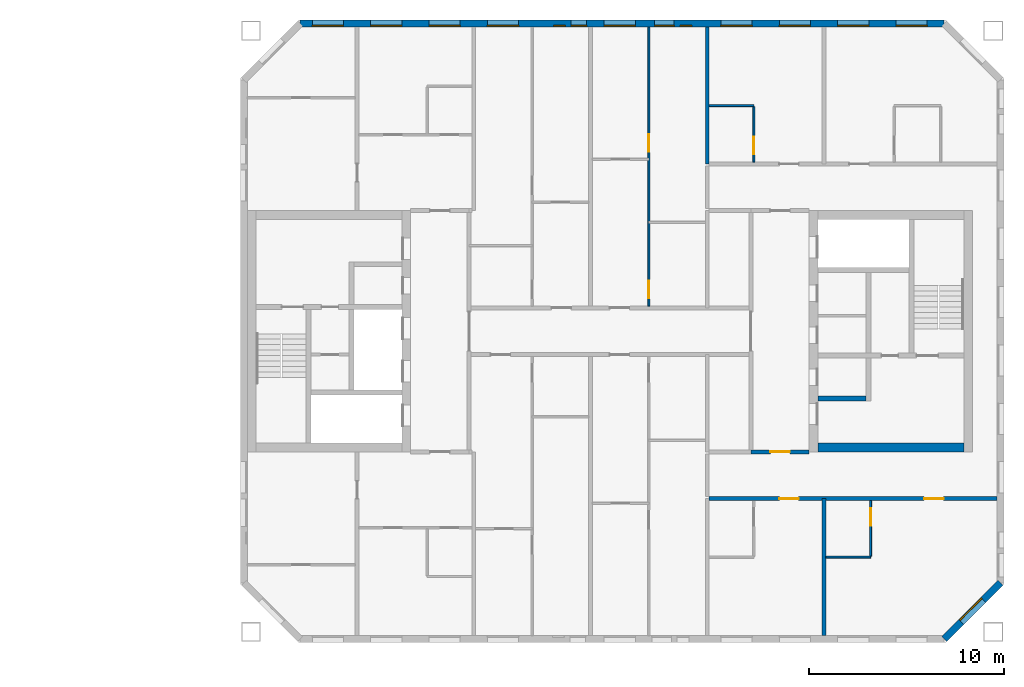
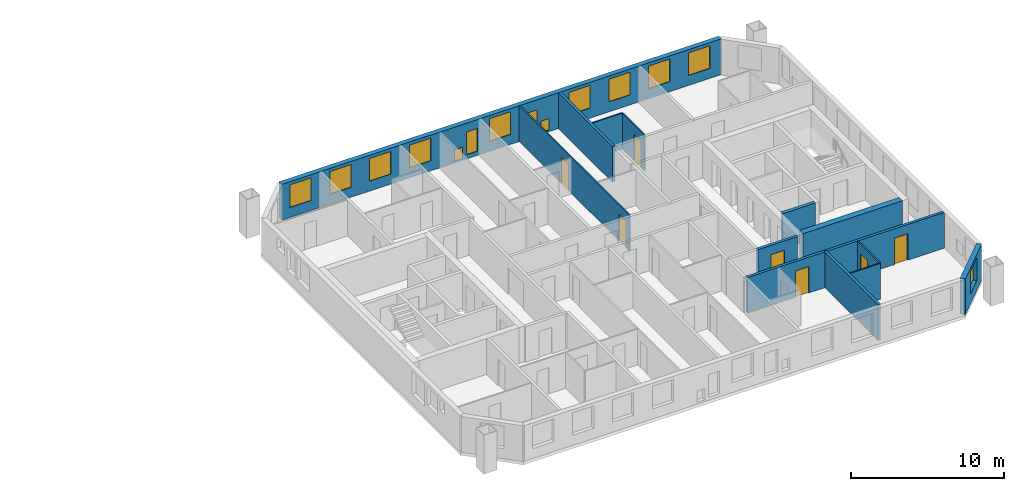
# One storey, part 11 of 15: 14 windows, 13 walls, 7 doors, 21 openings.
"""IFC4 building model written with IfcOpenShell, lengths in metres."""

from ifc_helpers import new_model, si_unit, direction, frame, frame_2d, origin, place, context, subcontext, project, spatial, rectangle, extrude, material, layer, layer_set, type_object, element, fill, save


model = new_model("IFC4")

# Units and contexts
model_context = context("Model", 3, precision=1e-05, world=origin(), true_north=direction((0.0, 1.0)))
body_context = subcontext(model_context, "Body", "Model", "MODEL_VIEW")
ifc_project = project(units=[si_unit("LENGTHUNIT", "METRE"), si_unit("AREAUNIT", "SQUARE_METRE"), si_unit("VOLUMEUNIT", "CUBIC_METRE"), si_unit("PLANEANGLEUNIT", "RADIAN"), si_unit("MASSUNIT", "GRAM", prefix="KILO")], contexts=[model_context])

# Site, building, storey
site_placement = place(None, origin())
site = spatial("IfcSite", under=ifc_project, at=site_placement, CompositionType="ELEMENT")
building_placement = place(site_placement, origin())
building = spatial("IfcBuilding", under=site, at=building_placement, Name="Tuart Gate Housing", CompositionType="ELEMENT")
storey_placement = place(building_placement, frame((0.0, 0.0, 188.199951171875)))
storey = spatial("IfcBuildingStorey", under=building, at=storey_placement, Name="L53", CompositionType="ELEMENT", Elevation=188.199951171875)

# Wall, opening, window
ifc_material_1 = material(Name="Brick", Category="masonry")
ifc_layer_1 = layer(ifc_material_1, 0.360107421875)
ifc_layer_set_1 = layer_set([ifc_layer_1], Name="Brick pier and spandrel wall 360")
wall_type_1 = type_object("IfcWallType", Name="Brick pier and spandrel wall 360", PredefinedType="STANDARD", material=ifc_layer_set_1)
wall_1_placement = place(storey_placement, frame((167.17529296875, 54.179931640625, 0.0), z_axis=(0.0, 0.0, 1.0), x_axis=(0.707106781187, 0.707106781187, 0.0)))
wall_1 = element("IfcWall", 1, at=wall_1_placement, inside=storey, type_object=wall_type_1, Name="External wall B-SE L53", PredefinedType="STANDARD", context=body_context, shape_type="SweptSolid", body=[
    extrude(rectangle(XDim=4.09375, YDim=0.360107421875, at=frame_2d((2.046875, 0.0))), origin(), (0.0, 0.0, 1.0), 2.85009765625),
])
opening_1_placement = place(wall_1_placement, frame((1.2470703125, 0.0, 0.800048828125)))
opening_1 = element("IfcOpeningElement", 2, at=opening_1_placement, cuts=wall_1, Name="Opening W1", PredefinedType="OPENING", context=body_context, shape_type="SweptSolid", body=[
    extrude(rectangle(XDim=1.60009765625, YDim=1.800048828125, at=frame_2d((0.800048828125, 0.89990234375))), frame((0.0, 0.18994140625, 0.0), z_axis=(0.0, -1.0, 0.0), x_axis=(1.0, 0.0, 0.0)), (0.0, 0.0, 1.0), 0.380126953125),
])
ifc_material_2 = material(Name="Aluminium frame with clear glass", Category="aluminium")
window_type_1 = type_object("IfcWindowType", Name="Punched window 1600 x 1800", PartitioningType="SINGLE_PANEL", PredefinedType="WINDOW", material=ifc_material_2)
window_1_placement = place(opening_1_placement, origin())
window_1 = element("IfcWindow", 3, at=window_1_placement, inside=storey, type_object=window_type_1, Name="Window W1", OverallHeight=1.800048828125, OverallWidth=1.60009765625, PartitioningType="SINGLE_PANEL", PredefinedType="WINDOW", context=body_context, shape_type="SweptSolid", body=[
    extrude(rectangle(XDim=1.60009765625, YDim=1.800048828125, at=frame_2d((0.800048828125, 0.89990234375))), frame((0.0, 0.150146484375, 0.0), z_axis=(0.0, -1.0, 0.0), x_axis=(1.0, 0.0, 0.0)), (0.0, 0.0, 1.0), 0.06005859375),
])
fill(opening_1, window_1)

# Wall, openings, windows
wall_2_placement = place(storey_placement, frame((167.17529296875, 85.820068359375, 0.0), z_axis=(0.0, 0.0, 1.0), x_axis=(-1.0, 0.0, 0.0)))
wall_2 = element("IfcWall", 4, at=wall_2_placement, inside=storey, type_object=wall_type_1, Name="External wall B-N L53", PredefinedType="STANDARD", context=body_context, shape_type="SweptSolid", body=[
    extrude(rectangle(XDim=33.100830078125, YDim=0.360107421875, at=frame_2d((16.55029296875, 0.0))), origin(), (0.0, 0.0, 1.0), 2.85009765625),
])
opening_2_placement = place(wall_2_placement, frame((0.87548828125, 0.0, 0.800048828125)))
opening_2 = element("IfcOpeningElement", 5, at=opening_2_placement, cuts=wall_2, Name="Opening W1", PredefinedType="OPENING", context=body_context, shape_type="SweptSolid", body=[
    extrude(rectangle(XDim=1.60009765625, YDim=1.800048828125, at=frame_2d((0.800048828125, 0.89990234375))), frame((0.0, 0.18994140625, 0.0), z_axis=(0.0, -1.0, 0.0), x_axis=(1.0, 0.0, 0.0)), (0.0, 0.0, 1.0), 0.380126953125),
])
opening_3_placement = place(wall_2_placement, frame((3.87548828125, 0.0, 0.800048828125)))
opening_3 = element("IfcOpeningElement", 6, at=opening_3_placement, cuts=wall_2, Name="Opening W1", PredefinedType="OPENING", context=body_context, shape_type="SweptSolid", body=[
    extrude(rectangle(XDim=1.60009765625, YDim=1.800048828125, at=frame_2d((0.800048828125, 0.89990234375))), frame((0.0, 0.18994140625, 0.0), z_axis=(0.0, -1.0, 0.0), x_axis=(1.0, 0.0, 0.0)), (0.0, 0.0, 1.0), 0.380126953125),
])
opening_4_placement = place(wall_2_placement, frame((6.87548828125, 0.0, 0.800048828125)))
opening_4 = element("IfcOpeningElement", 7, at=opening_4_placement, cuts=wall_2, Name="Opening W1", PredefinedType="OPENING", context=body_context, shape_type="SweptSolid", body=[
    extrude(rectangle(XDim=1.60009765625, YDim=1.800048828125, at=frame_2d((0.800048828125, 0.89990234375))), frame((0.0, 0.18994140625, 0.0), z_axis=(0.0, -1.0, 0.0), x_axis=(1.0, 0.0, 0.0)), (0.0, 0.0, 1.0), 0.380126953125),
])
opening_5_placement = place(wall_2_placement, frame((9.87548828125, 0.0, 0.800048828125)))
opening_5 = element("IfcOpeningElement", 8, at=opening_5_placement, cuts=wall_2, Name="Opening W1", PredefinedType="OPENING", context=body_context, shape_type="SweptSolid", body=[
    extrude(rectangle(XDim=1.60009765625, YDim=1.800048828125, at=frame_2d((0.800048828125, 0.89990234375))), frame((0.0, 0.18994140625, 0.0), z_axis=(0.0, -1.0, 0.0), x_axis=(1.0, 0.0, 0.0)), (0.0, 0.0, 1.0), 0.380126953125),
])
opening_6_placement = place(wall_2_placement, frame((12.975341796875, 0.0, 0.14990234375)))
opening_6 = element("IfcOpeningElement", 9, at=opening_6_placement, cuts=wall_2, Name="Opening W1W", PredefinedType="OPENING", context=body_context, shape_type="SweptSolid", body=[
    extrude(rectangle(XDim=0.60009765625, YDim=0.89990234375, at=frame_2d((0.300048828125, 0.449951171875))), frame((0.0, 0.18994140625, 0.0), z_axis=(0.0, -1.0, 0.0), x_axis=(1.0, 0.0, 0.0)), (0.0, 0.0, 1.0), 0.380126953125),
])
opening_7_placement = place(wall_2_placement, frame((15.87548828125, 0.0, 0.800048828125)))
opening_7 = element("IfcOpeningElement", 10, at=opening_7_placement, cuts=wall_2, Name="Opening W1", PredefinedType="OPENING", context=body_context, shape_type="SweptSolid", body=[
    extrude(rectangle(XDim=1.60009765625, YDim=1.800048828125, at=frame_2d((0.800048828125, 0.89990234375))), frame((0.0, 0.18994140625, 0.0), z_axis=(0.0, -1.0, 0.0), x_axis=(1.0, 0.0, 0.0)), (0.0, 0.0, 1.0), 0.380126953125),
])
opening_8_placement = place(wall_2_placement, frame((18.37548828125, 0.0, 0.35009765625)))
opening_8 = element("IfcOpeningElement", 11, at=opening_8_placement, cuts=wall_2, Name="Opening W1D", PredefinedType="OPENING", context=body_context, shape_type="SweptSolid", body=[
    extrude(rectangle(XDim=0.800048828125, YDim=1.800048828125, at=frame_2d((0.39990234375, 0.89990234375))), frame((0.0, 0.18994140625, 0.0), z_axis=(0.0, -1.0, 0.0), x_axis=(1.0, 0.0, 0.0)), (0.0, 0.0, 1.0), 0.380126953125),
])
opening_9_placement = place(wall_2_placement, frame((21.87548828125, 0.0, 0.800048828125)))
opening_9 = element("IfcOpeningElement", 12, at=opening_9_placement, cuts=wall_2, Name="Opening W1", PredefinedType="OPENING", context=body_context, shape_type="SweptSolid", body=[
    extrude(rectangle(XDim=1.60009765625, YDim=1.800048828125, at=frame_2d((0.800048828125, 0.89990234375))), frame((0.0, 0.18994140625, 0.0), z_axis=(0.0, -1.0, 0.0), x_axis=(1.0, 0.0, 0.0)), (0.0, 0.0, 1.0), 0.380126953125),
])
opening_10_placement = place(wall_2_placement, frame((24.87548828125, 0.0, 0.800048828125)))
opening_10 = element("IfcOpeningElement", 13, at=opening_10_placement, cuts=wall_2, Name="Opening W1", PredefinedType="OPENING", context=body_context, shape_type="SweptSolid", body=[
    extrude(rectangle(XDim=1.60009765625, YDim=1.800048828125, at=frame_2d((0.800048828125, 0.89990234375))), frame((0.0, 0.18994140625, 0.0), z_axis=(0.0, -1.0, 0.0), x_axis=(1.0, 0.0, 0.0)), (0.0, 0.0, 1.0), 0.380126953125),
])
opening_11_placement = place(wall_2_placement, frame((27.87548828125, 0.0, 0.800048828125)))
opening_11 = element("IfcOpeningElement", 14, at=opening_11_placement, cuts=wall_2, Name="Opening W1", PredefinedType="OPENING", context=body_context, shape_type="SweptSolid", body=[
    extrude(rectangle(XDim=1.60009765625, YDim=1.800048828125, at=frame_2d((0.800048828125, 0.89990234375))), frame((0.0, 0.18994140625, 0.0), z_axis=(0.0, -1.0, 0.0), x_axis=(1.0, 0.0, 0.0)), (0.0, 0.0, 1.0), 0.380126953125),
])
opening_12_placement = place(wall_2_placement, frame((30.87548828125, 0.0, 0.800048828125)))
opening_12 = element("IfcOpeningElement", 15, at=opening_12_placement, cuts=wall_2, Name="Opening W1", PredefinedType="OPENING", context=body_context, shape_type="SweptSolid", body=[
    extrude(rectangle(XDim=1.60009765625, YDim=1.800048828125, at=frame_2d((0.800048828125, 0.89990234375))), frame((0.0, 0.18994140625, 0.0), z_axis=(0.0, -1.0, 0.0), x_axis=(1.0, 0.0, 0.0)), (0.0, 0.0, 1.0), 0.380126953125),
])
opening_13_placement = place(wall_2_placement, frame((13.87548828125, 0.0, 0.25)))
opening_13 = element("IfcOpeningElement", 16, at=opening_13_placement, cuts=wall_2, Name="Opening W1C", PredefinedType="OPENING", context=body_context, shape_type="SweptSolid", body=[
    extrude(rectangle(XDim=1.0, YDim=1.800048828125, at=frame_2d((0.5, 0.89990234375))), frame((0.0, 0.18994140625, 0.0), z_axis=(0.0, -1.0, 0.0), x_axis=(1.0, 0.0, 0.0)), (0.0, 0.0, 1.0), 0.380126953125),
])
opening_14_placement = place(wall_2_placement, frame((19.475341796875, 0.0, 0.14990234375)))
opening_14 = element("IfcOpeningElement", 17, at=opening_14_placement, cuts=wall_2, Name="Opening W1W", PredefinedType="OPENING", context=body_context, shape_type="SweptSolid", body=[
    extrude(rectangle(XDim=0.60009765625, YDim=0.89990234375, at=frame_2d((0.300048828125, 0.449951171875))), frame((0.0, 0.18994140625, 0.0), z_axis=(0.0, -1.0, 0.0), x_axis=(1.0, 0.0, 0.0)), (0.0, 0.0, 1.0), 0.380126953125),
])
ifc_material_3 = material(Name="Aluminium frame with clear glass", Category="aluminium")
window_type_2 = type_object("IfcWindowType", Name="Punched window 1000 x 1800", PartitioningType="SINGLE_PANEL", PredefinedType="WINDOW", material=ifc_material_3)
window_2_placement = place(opening_13_placement, origin())
window_2 = element("IfcWindow", 18, at=window_2_placement, inside=storey, type_object=window_type_2, Name="Window W1C", OverallHeight=1.800048828125, OverallWidth=1.0, PartitioningType="SINGLE_PANEL", PredefinedType="WINDOW", context=body_context, shape_type="SweptSolid", body=[
    extrude(rectangle(XDim=1.0, YDim=1.800048828125, at=frame_2d((0.5, 0.89990234375))), frame((0.0, 0.150146484375, 0.0), z_axis=(0.0, -1.0, 0.0), x_axis=(1.0, 0.0, 0.0)), (0.0, 0.0, 1.0), 0.06005859375),
])
fill(opening_13, window_2)
window_3_placement = place(opening_2_placement, origin())
window_3 = element("IfcWindow", 19, at=window_3_placement, inside=storey, type_object=window_type_1, Name="Window W1", OverallHeight=1.800048828125, OverallWidth=1.60009765625, PartitioningType="SINGLE_PANEL", PredefinedType="WINDOW", context=body_context, shape_type="SweptSolid", body=[
    extrude(rectangle(XDim=1.60009765625, YDim=1.800048828125, at=frame_2d((0.800048828125, 0.89990234375))), frame((0.0, 0.150146484375, 0.0), z_axis=(0.0, -1.0, 0.0), x_axis=(1.0, 0.0, 0.0)), (0.0, 0.0, 1.0), 0.06005859375),
])
fill(opening_2, window_3)
window_4_placement = place(opening_3_placement, origin())
window_4 = element("IfcWindow", 20, at=window_4_placement, inside=storey, type_object=window_type_1, Name="Window W1", OverallHeight=1.800048828125, OverallWidth=1.60009765625, PartitioningType="SINGLE_PANEL", PredefinedType="WINDOW", context=body_context, shape_type="SweptSolid", body=[
    extrude(rectangle(XDim=1.60009765625, YDim=1.800048828125, at=frame_2d((0.800048828125, 0.89990234375))), frame((0.0, 0.150146484375, 0.0), z_axis=(0.0, -1.0, 0.0), x_axis=(1.0, 0.0, 0.0)), (0.0, 0.0, 1.0), 0.06005859375),
])
fill(opening_3, window_4)
window_5_placement = place(opening_4_placement, origin())
window_5 = element("IfcWindow", 21, at=window_5_placement, inside=storey, type_object=window_type_1, Name="Window W1", OverallHeight=1.800048828125, OverallWidth=1.60009765625, PartitioningType="SINGLE_PANEL", PredefinedType="WINDOW", context=body_context, shape_type="SweptSolid", body=[
    extrude(rectangle(XDim=1.60009765625, YDim=1.800048828125, at=frame_2d((0.800048828125, 0.89990234375))), frame((0.0, 0.150146484375, 0.0), z_axis=(0.0, -1.0, 0.0), x_axis=(1.0, 0.0, 0.0)), (0.0, 0.0, 1.0), 0.06005859375),
])
fill(opening_4, window_5)
window_6_placement = place(opening_5_placement, origin())
window_6 = element("IfcWindow", 22, at=window_6_placement, inside=storey, type_object=window_type_1, Name="Window W1", OverallHeight=1.800048828125, OverallWidth=1.60009765625, PartitioningType="SINGLE_PANEL", PredefinedType="WINDOW", context=body_context, shape_type="SweptSolid", body=[
    extrude(rectangle(XDim=1.60009765625, YDim=1.800048828125, at=frame_2d((0.800048828125, 0.89990234375))), frame((0.0, 0.150146484375, 0.0), z_axis=(0.0, -1.0, 0.0), x_axis=(1.0, 0.0, 0.0)), (0.0, 0.0, 1.0), 0.06005859375),
])
fill(opening_5, window_6)
window_7_placement = place(opening_7_placement, origin())
window_7 = element("IfcWindow", 23, at=window_7_placement, inside=storey, type_object=window_type_1, Name="Window W1", OverallHeight=1.800048828125, OverallWidth=1.60009765625, PartitioningType="SINGLE_PANEL", PredefinedType="WINDOW", context=body_context, shape_type="SweptSolid", body=[
    extrude(rectangle(XDim=1.60009765625, YDim=1.800048828125, at=frame_2d((0.800048828125, 0.89990234375))), frame((0.0, 0.150146484375, 0.0), z_axis=(0.0, -1.0, 0.0), x_axis=(1.0, 0.0, 0.0)), (0.0, 0.0, 1.0), 0.06005859375),
])
fill(opening_7, window_7)
window_8_placement = place(opening_9_placement, origin())
window_8 = element("IfcWindow", 24, at=window_8_placement, inside=storey, type_object=window_type_1, Name="Window W1", OverallHeight=1.800048828125, OverallWidth=1.60009765625, PartitioningType="SINGLE_PANEL", PredefinedType="WINDOW", context=body_context, shape_type="SweptSolid", body=[
    extrude(rectangle(XDim=1.60009765625, YDim=1.800048828125, at=frame_2d((0.800048828125, 0.89990234375))), frame((0.0, 0.150146484375, 0.0), z_axis=(0.0, -1.0, 0.0), x_axis=(1.0, 0.0, 0.0)), (0.0, 0.0, 1.0), 0.06005859375),
])
fill(opening_9, window_8)
window_9_placement = place(opening_10_placement, origin())
window_9 = element("IfcWindow", 25, at=window_9_placement, inside=storey, type_object=window_type_1, Name="Window W1", OverallHeight=1.800048828125, OverallWidth=1.60009765625, PartitioningType="SINGLE_PANEL", PredefinedType="WINDOW", context=body_context, shape_type="SweptSolid", body=[
    extrude(rectangle(XDim=1.60009765625, YDim=1.800048828125, at=frame_2d((0.800048828125, 0.89990234375))), frame((0.0, 0.150146484375, 0.0), z_axis=(0.0, -1.0, 0.0), x_axis=(1.0, 0.0, 0.0)), (0.0, 0.0, 1.0), 0.06005859375),
])
fill(opening_10, window_9)
window_10_placement = place(opening_11_placement, origin())
window_10 = element("IfcWindow", 26, at=window_10_placement, inside=storey, type_object=window_type_1, Name="Window W1", OverallHeight=1.800048828125, OverallWidth=1.60009765625, PartitioningType="SINGLE_PANEL", PredefinedType="WINDOW", context=body_context, shape_type="SweptSolid", body=[
    extrude(rectangle(XDim=1.60009765625, YDim=1.800048828125, at=frame_2d((0.800048828125, 0.89990234375))), frame((0.0, 0.150146484375, 0.0), z_axis=(0.0, -1.0, 0.0), x_axis=(1.0, 0.0, 0.0)), (0.0, 0.0, 1.0), 0.06005859375),
])
fill(opening_11, window_10)
window_11_placement = place(opening_12_placement, origin())
window_11 = element("IfcWindow", 27, at=window_11_placement, inside=storey, type_object=window_type_1, Name="Window W1", OverallHeight=1.800048828125, OverallWidth=1.60009765625, PartitioningType="SINGLE_PANEL", PredefinedType="WINDOW", context=body_context, shape_type="SweptSolid", body=[
    extrude(rectangle(XDim=1.60009765625, YDim=1.800048828125, at=frame_2d((0.800048828125, 0.89990234375))), frame((0.0, 0.150146484375, 0.0), z_axis=(0.0, -1.0, 0.0), x_axis=(1.0, 0.0, 0.0)), (0.0, 0.0, 1.0), 0.06005859375),
])
fill(opening_12, window_11)
ifc_material_4 = material(Name="Aluminium frame with clear glass", Category="aluminium")
window_type_3 = type_object("IfcWindowType", Name="Punched window 600 x 900", PartitioningType="SINGLE_PANEL", PredefinedType="WINDOW", material=ifc_material_4)
window_12_placement = place(opening_6_placement, origin())
window_12 = element("IfcWindow", 28, at=window_12_placement, inside=storey, type_object=window_type_3, Name="Window W1W", OverallHeight=0.89990234375, OverallWidth=0.60009765625, PartitioningType="SINGLE_PANEL", PredefinedType="WINDOW", context=body_context, shape_type="SweptSolid", body=[
    extrude(rectangle(XDim=0.60009765625, YDim=0.89990234375, at=frame_2d((0.300048828125, 0.449951171875))), frame((0.0, 0.150146484375, 0.0), z_axis=(0.0, -1.0, 0.0), x_axis=(1.0, 0.0, 0.0)), (0.0, 0.0, 1.0), 0.06005859375),
])
fill(opening_6, window_12)
window_13_placement = place(opening_14_placement, origin())
window_13 = element("IfcWindow", 29, at=window_13_placement, inside=storey, type_object=window_type_3, Name="Window W1W", OverallHeight=0.89990234375, OverallWidth=0.60009765625, PartitioningType="SINGLE_PANEL", PredefinedType="WINDOW", context=body_context, shape_type="SweptSolid", body=[
    extrude(rectangle(XDim=0.60009765625, YDim=0.89990234375, at=frame_2d((0.300048828125, 0.449951171875))), frame((0.0, 0.150146484375, 0.0), z_axis=(0.0, -1.0, 0.0), x_axis=(1.0, 0.0, 0.0)), (0.0, 0.0, 1.0), 0.06005859375),
])
fill(opening_14, window_13)
ifc_material_5 = material(Name="Aluminium frame with clear glass", Category="aluminium")
window_type_4 = type_object("IfcWindowType", Name="Punched window 800 x 1800", PartitioningType="SINGLE_PANEL", PredefinedType="WINDOW", material=ifc_material_5)
window_14_placement = place(opening_8_placement, origin())
window_14 = element("IfcWindow", 30, at=window_14_placement, inside=storey, type_object=window_type_4, Name="Window W1D", OverallHeight=1.800048828125, OverallWidth=0.800048828125, PartitioningType="SINGLE_PANEL", PredefinedType="WINDOW", context=body_context, shape_type="SweptSolid", body=[
    extrude(rectangle(XDim=0.800048828125, YDim=1.800048828125, at=frame_2d((0.39990234375, 0.89990234375))), frame((0.0, 0.150146484375, 0.0), z_axis=(0.0, -1.0, 0.0), x_axis=(1.0, 0.0, 0.0)), (0.0, 0.0, 1.0), 0.06005859375),
])
fill(opening_8, window_14)

# Walls
ifc_material_6 = material(Name="Concrete C40", Category="concrete")
ifc_layer_2 = layer(ifc_material_6, 0.25)
ifc_layer_set_2 = layer_set([ifc_layer_2], Name="Core wall 250 C40")
wall_type_2 = type_object("IfcWallType", Name="Core wall 250 C40", PredefinedType="SHEAR", material=ifc_layer_set_2)
wall_3_placement = place(storey_placement, frame((160.68994140625, 66.550048828125, 0.0), z_axis=(0.0, 0.0, 1.0), x_axis=(1.0, 0.0, 0.0)))
element("IfcWall", 31, at=wall_3_placement, inside=storey, type_object=wall_type_2, Name="Core wall BK.4", PredefinedType="SHEAR", context=body_context, shape_type="SweptSolid", body=[
    extrude(rectangle(XDim=2.47509765625, YDim=0.25, at=frame_2d((1.237548828125, 0.0))), origin(), (0.0, 0.0, 1.0), 2.85009765625),
])
ifc_material_7 = material(Name="Concrete C40", Category="concrete")
ifc_layer_3 = layer(ifc_material_7, 0.449951171875)
ifc_layer_set_3 = layer_set([ifc_layer_3], Name="Core wall 450 C40")
wall_type_3 = type_object("IfcWallType", Name="Core wall 450 C40", PredefinedType="SHEAR", material=ifc_layer_set_3)
wall_4_placement = place(storey_placement, frame((160.68994140625, 64.02490234375, 0.0), z_axis=(0.0, 0.0, 1.0), x_axis=(1.0, 0.0, 0.0)))
element("IfcWall", 32, at=wall_4_placement, inside=storey, type_object=wall_type_3, Name="Core wall BK north", PredefinedType="SHEAR", context=body_context, shape_type="SweptSolid", body=[
    extrude(rectangle(XDim=7.5, YDim=0.449951171875, at=frame_2d((3.75, 0.0))), origin(), (0.0, 0.0, 1.0), 2.85009765625),
])

# Wall, openings, doors
ifc_material_8 = material(Name="Concrete masonry 15 MPa", Category="masonry")
ifc_layer_4 = layer(ifc_material_8, 0.199951171875)
ifc_layer_set_4 = layer_set([ifc_layer_4], Name="Corridor wall masonry 200")
wall_type_4 = type_object("IfcWallType", Name="Corridor wall masonry 200", PredefinedType="PARTITIONING", material=ifc_layer_set_4)
wall_5_placement = place(storey_placement, frame((155.10009765625, 61.39990234375, 0.0), z_axis=(0.0, 0.0, 1.0), x_axis=(1.0, 0.0, 0.0)))
wall_5 = element("IfcWall", 33, at=wall_5_placement, inside=storey, type_object=wall_type_4, Name="Corridor wall masonry 200", PredefinedType="PARTITIONING", context=body_context, shape_type="SweptSolid", body=[
    extrude(rectangle(XDim=14.789794921875, YDim=0.199951171875, at=frame_2d((7.39501953125, 0.0))), origin(), (0.0, 0.0, 1.0), 2.85009765625),
])
opening_15_placement = place(wall_5_placement, frame((3.60009765625, 0.0, 0.0)))
opening_15 = element("IfcOpeningElement", 34, at=opening_15_placement, cuts=wall_5, Name="Opening D1936", PredefinedType="OPENING", context=body_context, shape_type="SweptSolid", body=[
    extrude(rectangle(XDim=1.0, YDim=2.10009765625, at=frame_2d((0.5, 1.050048828125))), frame((0.0, 0.10986328125, 0.0), z_axis=(0.0, -1.0, 0.0), x_axis=(1.0, 0.0, 0.0)), (0.0, 0.0, 1.0), 0.219970703125),
])
opening_16_placement = place(wall_5_placement, frame((11.044921875, 0.0, 0.0)))
opening_16 = element("IfcOpeningElement", 35, at=opening_16_placement, cuts=wall_5, Name="Opening D1937", PredefinedType="OPENING", context=body_context, shape_type="SweptSolid", body=[
    extrude(rectangle(XDim=1.0, YDim=2.10009765625, at=frame_2d((0.5, 1.050048828125))), frame((0.0, 0.10986328125, 0.0), z_axis=(0.0, -1.0, 0.0), x_axis=(1.0, 0.0, 0.0)), (0.0, 0.0, 1.0), 0.219970703125),
])
ifc_material_9 = material(Name="Timber door leaf in steel frame", Category="steel")
door_type_1 = type_object("IfcDoorType", Name="Flat entrance door 1000 RH", OperationType="SINGLE_SWING_RIGHT", PredefinedType="DOOR", material=ifc_material_9)
door_1_placement = place(opening_15_placement, frame((1.0, 0.0, 0.0), z_axis=(0.0, 0.0, 1.0), x_axis=(-1.0, 0.0, 0.0)))
door_1 = element("IfcDoor", 36, at=door_1_placement, inside=storey, type_object=door_type_1, Name="Flat entrance door", OperationType="SINGLE_SWING_RIGHT", OverallHeight=2.10009765625, OverallWidth=1.0, PredefinedType="DOOR", context=body_context, shape_type="SweptSolid", body=[
    extrude(rectangle(XDim=1.0, YDim=2.10009765625, at=frame_2d((0.5, 1.050048828125))), frame((0.0, 0.025146484375, 0.0), z_axis=(0.0, -1.0, 0.0), x_axis=(1.0, 0.0, 0.0)), (0.0, 0.0, 1.0), 0.050048828125),
])
fill(opening_15, door_1)
door_2_placement = place(opening_16_placement, frame((1.0, 0.0, 0.0), z_axis=(0.0, 0.0, 1.0), x_axis=(-1.0, 0.0, 0.0)))
door_2 = element("IfcDoor", 37, at=door_2_placement, inside=storey, type_object=door_type_1, Name="Flat entrance door", OperationType="SINGLE_SWING_RIGHT", OverallHeight=2.10009765625, OverallWidth=1.0, PredefinedType="DOOR", context=body_context, shape_type="SweptSolid", body=[
    extrude(rectangle(XDim=1.0, YDim=2.10009765625, at=frame_2d((0.5, 1.050048828125))), frame((0.0, 0.025146484375, 0.0), z_axis=(0.0, -1.0, 0.0), x_axis=(1.0, 0.0, 0.0)), (0.0, 0.0, 1.0), 0.050048828125),
])
fill(opening_16, door_2)

# Wall, opening, door
ifc_material_10 = material(Name="Concrete masonry 15 MPa", Category="masonry")
ifc_layer_5 = layer(ifc_material_10, 0.199951171875)
ifc_layer_set_5 = layer_set([ifc_layer_5], Name="Enclosure wall masonry 200")
wall_type_5 = type_object("IfcWallType", Name="Enclosure wall masonry 200", PredefinedType="PARTITIONING", material=ifc_layer_set_5)
wall_6_placement = place(storey_placement, frame((157.239990234375, 63.800048828125, 0.0), z_axis=(0.0, 0.0, 1.0), x_axis=(1.0, 0.0, 0.0)))
wall_6 = element("IfcWall", 38, at=wall_6_placement, inside=storey, type_object=wall_type_5, Name="Enclosure wall masonry 200", PredefinedType="PARTITIONING", context=body_context, shape_type="SweptSolid", body=[
    extrude(rectangle(XDim=3.0, YDim=0.199951171875, at=frame_2d((1.5, 0.0))), origin(), (0.0, 0.0, 1.0), 2.85009765625),
])
opening_17_placement = place(wall_6_placement, frame((1.0, 0.0, 0.0)))
opening_17 = element("IfcOpeningElement", 39, at=opening_17_placement, cuts=wall_6, Name="Opening D1931", PredefinedType="OPENING", context=body_context, shape_type="SweptSolid", body=[
    extrude(rectangle(XDim=1.0, YDim=2.10009765625, at=frame_2d((0.5, 1.050048828125))), frame((0.0, 0.10986328125, 0.0), z_axis=(0.0, -1.0, 0.0), x_axis=(1.0, 0.0, 0.0)), (0.0, 0.0, 1.0), 0.219970703125),
])
ifc_material_11 = material(Name="Timber door leaf in steel frame", Category="steel")
door_type_2 = type_object("IfcDoorType", Name="Fire door 1000 RH", OperationType="SINGLE_SWING_RIGHT", PredefinedType="DOOR", material=ifc_material_11)
door_3_placement = place(opening_17_placement, frame((1.0, 0.0, 0.0), z_axis=(0.0, 0.0, 1.0), x_axis=(-1.0, 0.0, 0.0)))
door_3 = element("IfcDoor", 40, at=door_3_placement, inside=storey, type_object=door_type_2, Name="Fire door", OperationType="SINGLE_SWING_RIGHT", OverallHeight=2.10009765625, OverallWidth=1.0, PredefinedType="DOOR", context=body_context, shape_type="SweptSolid", body=[
    extrude(rectangle(XDim=1.0, YDim=2.10009765625, at=frame_2d((0.5, 1.050048828125))), frame((0.0, 0.025146484375, 0.0), z_axis=(0.0, -1.0, 0.0), x_axis=(1.0, 0.0, 0.0)), (0.0, 0.0, 1.0), 0.050048828125),
])
fill(opening_17, door_3)

# Walls
ifc_material_12 = material(Name="Gypsum board on steel studs", Category="steel")
ifc_layer_6 = layer(ifc_material_12, 0.10009765625)
ifc_layer_set_6 = layer_set([ifc_layer_6], Name="Partition 100")
wall_type_6 = type_object("IfcWallType", Name="Partition 100", PredefinedType="PARTITIONING", material=ifc_layer_set_6)
for number, where, z_axis, x_axis, name in (
    (41, (161.10009765625, 58.39990234375, 0.0), (0.0, 0.0, 1.0), (1.0, 0.0, 0.0), "Partition 100"),
    (42, (155.10009765625, 81.60009765625, 0.0), (0.0, 0.0, 1.0), (1.0, 0.0, 0.0), "Partition 100"),
):
    element("IfcWall", number, at=place(storey_placement, frame(where, z_axis=z_axis, x_axis=x_axis)), inside=storey, type_object=wall_type_6, Name=name, PredefinedType="PARTITIONING", context=body_context, shape_type="SweptSolid", body=[
        extrude(rectangle(XDim=2.2998046875, YDim=0.10009765625, at=frame_2d((1.14990234375, 0.0))), origin(), (0.0, 0.0, 1.0), 2.85009765625),
    ])

# Wall, openings, doors
wall_7_placement = place(storey_placement, frame((152.0, 71.300048828125, 0.0), z_axis=(0.0, 0.0, 1.0), x_axis=(0.0, 1.0, 0.0)))
wall_7 = element("IfcWall", 43, at=wall_7_placement, inside=storey, type_object=wall_type_6, Name="Partition 100", PredefinedType="PARTITIONING", context=body_context, shape_type="SweptSolid", body=[
    extrude(rectangle(XDim=14.33984375, YDim=0.10009765625, at=frame_2d((7.169921875, 0.0))), origin(), (0.0, 0.0, 1.0), 2.85009765625),
])
opening_18_placement = place(wall_7_placement, frame((7.93994140625, 0.0, 0.0)))
opening_18 = element("IfcOpeningElement", 44, at=opening_18_placement, cuts=wall_7, Name="Opening D1909", PredefinedType="OPENING", context=body_context, shape_type="SweptSolid", body=[
    extrude(rectangle(XDim=0.89990234375, YDim=2.10009765625, at=frame_2d((0.449951171875, 1.050048828125))), frame((0.0, 0.06005859375, 0.0), z_axis=(0.0, -1.0, 0.0), x_axis=(1.0, 0.0, 0.0)), (0.0, 0.0, 1.0), 0.1201171875),
])
opening_19_placement = place(wall_7_placement, frame((0.39990234375, 0.0, 0.0)))
opening_19 = element("IfcOpeningElement", 45, at=opening_19_placement, cuts=wall_7, Name="Opening D1908", PredefinedType="OPENING", context=body_context, shape_type="SweptSolid", body=[
    extrude(rectangle(XDim=0.89990234375, YDim=2.10009765625, at=frame_2d((0.449951171875, 1.050048828125))), frame((0.0, 0.06005859375, 0.0), z_axis=(0.0, -1.0, 0.0), x_axis=(1.0, 0.0, 0.0)), (0.0, 0.0, 1.0), 0.1201171875),
])
ifc_material_13 = material(Name="Timber door leaf in steel frame", Category="steel")
door_type_3 = type_object("IfcDoorType", Name="Bathroom door 900 RH", OperationType="SINGLE_SWING_RIGHT", PredefinedType="DOOR", material=ifc_material_13)
door_4_placement = place(opening_19_placement, frame((0.89990234375, 0.0, 0.0), z_axis=(0.0, 0.0, 1.0), x_axis=(-1.0, 0.0, 0.0)))
door_4 = element("IfcDoor", 46, at=door_4_placement, inside=storey, type_object=door_type_3, Name="Bathroom door", OperationType="SINGLE_SWING_RIGHT", OverallHeight=2.10009765625, OverallWidth=0.89990234375, PredefinedType="DOOR", context=body_context, shape_type="SweptSolid", body=[
    extrude(rectangle(XDim=0.89990234375, YDim=2.10009765625, at=frame_2d((0.449951171875, 1.050048828125))), frame((0.0, 0.025146484375, 0.0), z_axis=(0.0, -1.0, 0.0), x_axis=(1.0, 0.0, 0.0)), (0.0, 0.0, 1.0), 0.050048828125),
])
fill(opening_19, door_4)
ifc_material_14 = material(Name="Timber door leaf in steel frame", Category="steel")
door_type_4 = type_object("IfcDoorType", Name="Internal door 900 RH", OperationType="SINGLE_SWING_RIGHT", PredefinedType="DOOR", material=ifc_material_14)
door_5_placement = place(opening_18_placement, frame((0.89990234375, 0.0, 0.0), z_axis=(0.0, 0.0, 1.0), x_axis=(-1.0, 0.0, 0.0)))
door_5 = element("IfcDoor", 47, at=door_5_placement, inside=storey, type_object=door_type_4, Name="Internal door", OperationType="SINGLE_SWING_RIGHT", OverallHeight=2.10009765625, OverallWidth=0.89990234375, PredefinedType="DOOR", context=body_context, shape_type="SweptSolid", body=[
    extrude(rectangle(XDim=0.89990234375, YDim=2.10009765625, at=frame_2d((0.449951171875, 1.050048828125))), frame((0.0, 0.025146484375, 0.0), z_axis=(0.0, -1.0, 0.0), x_axis=(1.0, 0.0, 0.0)), (0.0, 0.0, 1.0), 0.050048828125),
])
fill(opening_18, door_5)

# Wall, opening, door
wall_8_placement = place(storey_placement, frame((157.39990234375, 78.699951171875, 0.0), z_axis=(0.0, 0.0, 1.0), x_axis=(0.0, 1.0, 0.0)))
wall_8 = element("IfcWall", 48, at=wall_8_placement, inside=storey, type_object=wall_type_6, Name="Partition 100", PredefinedType="PARTITIONING", context=body_context, shape_type="SweptSolid", body=[
    extrude(rectangle(XDim=2.85009765625, YDim=0.10009765625, at=frame_2d((1.425048828125, 0.0))), origin(), (0.0, 0.0, 1.0), 2.85009765625),
])
opening_20_placement = place(wall_8_placement, frame((0.39990234375, 0.0, 0.0)))
opening_20 = element("IfcOpeningElement", 49, at=opening_20_placement, cuts=wall_8, Name="Opening D1899", PredefinedType="OPENING", context=body_context, shape_type="SweptSolid", body=[
    extrude(rectangle(XDim=0.89990234375, YDim=2.10009765625, at=frame_2d((0.449951171875, 1.050048828125))), frame((0.0, 0.06005859375, 0.0), z_axis=(0.0, -1.0, 0.0), x_axis=(1.0, 0.0, 0.0)), (0.0, 0.0, 1.0), 0.1201171875),
])
ifc_material_15 = material(Name="Timber door leaf in steel frame", Category="steel")
door_type_5 = type_object("IfcDoorType", Name="Bathroom door 900", OperationType="SINGLE_SWING_LEFT", PredefinedType="DOOR", material=ifc_material_15)
door_6_placement = place(opening_20_placement, origin())
door_6 = element("IfcDoor", 50, at=door_6_placement, inside=storey, type_object=door_type_5, Name="Bathroom door", OperationType="SINGLE_SWING_LEFT", OverallHeight=2.10009765625, OverallWidth=0.89990234375, PredefinedType="DOOR", context=body_context, shape_type="SweptSolid", body=[
    extrude(rectangle(XDim=0.89990234375, YDim=2.10009765625, at=frame_2d((0.449951171875, 1.050048828125))), frame((0.0, 0.02490234375, 0.0), z_axis=(0.0, -1.0, 0.0), x_axis=(1.0, 0.0, 0.0)), (0.0, 0.0, 1.0), 0.050048828125),
])
fill(opening_20, door_6)

wall_9_placement = place(storey_placement, frame((163.39990234375, 58.449951171875, 0.0), z_axis=(0.0, 0.0, 1.0), x_axis=(0.0, 1.0, 0.0)))
wall_9 = element("IfcWall", 51, at=wall_9_placement, inside=storey, type_object=wall_type_6, Name="Partition 100", PredefinedType="PARTITIONING", context=body_context, shape_type="SweptSolid", body=[
    extrude(rectangle(XDim=2.85009765625, YDim=0.10009765625, at=frame_2d((1.425048828125, 0.0))), origin(), (0.0, 0.0, 1.0), 2.85009765625),
])
opening_21_placement = place(wall_9_placement, frame((1.550048828125, 0.0, 0.0)))
opening_21 = element("IfcOpeningElement", 52, at=opening_21_placement, cuts=wall_9, Name="Opening D1942", PredefinedType="OPENING", context=body_context, shape_type="SweptSolid", body=[
    extrude(rectangle(XDim=0.89990234375, YDim=2.10009765625, at=frame_2d((0.449951171875, 1.050048828125))), frame((0.0, 0.06005859375, 0.0), z_axis=(0.0, -1.0, 0.0), x_axis=(1.0, 0.0, 0.0)), (0.0, 0.0, 1.0), 0.1201171875),
])
door_7_placement = place(opening_21_placement, origin())
door_7 = element("IfcDoor", 53, at=door_7_placement, inside=storey, type_object=door_type_3, Name="Bathroom door", OperationType="SINGLE_SWING_RIGHT", OverallHeight=2.10009765625, OverallWidth=0.89990234375, PredefinedType="DOOR", context=body_context, shape_type="SweptSolid", body=[
    extrude(rectangle(XDim=0.89990234375, YDim=2.10009765625, at=frame_2d((0.449951171875, 1.050048828125))), frame((0.0, 0.02490234375, 0.0), z_axis=(0.0, -1.0, 0.0), x_axis=(1.0, 0.0, 0.0)), (0.0, 0.0, 1.0), 0.050048828125),
])
fill(opening_21, door_7)

# Walls
ifc_material_16 = material(Name="Concrete C40", Category="concrete")
ifc_layer_7 = layer(ifc_material_16, 0.199951171875)
ifc_layer_set_7 = layer_set([ifc_layer_7], Name="Party wall concrete C40 200")
wall_type_7 = type_object("IfcWallType", Name="Party wall concrete C40 200", PredefinedType="SOLIDWALL", material=ifc_layer_set_7)
for number, where, z_axis, x_axis, name in (
    (54, (155.0, 78.60009765625, 0.0), (0.0, 0.0, 1.0), (0.0, 1.0, 0.0), "Party wall concrete C40 200"),
    (55, (161.0, 54.360107421875, 0.0), (0.0, 0.0, 1.0), (0.0, 1.0, 0.0), "Party wall concrete C40 200"),
):
    element("IfcWall", number, at=place(storey_placement, frame(where, z_axis=z_axis, x_axis=x_axis)), inside=storey, type_object=wall_type_7, Name=name, PredefinedType="SOLIDWALL", context=body_context, shape_type="SweptSolid", body=[
        extrude(rectangle(XDim=7.039794921875, YDim=0.199951171875, at=frame_2d((3.52001953125, 0.0))), origin(), (0.0, 0.0, 1.0), 2.85009765625),
    ])

save(model, "model.ifc")
